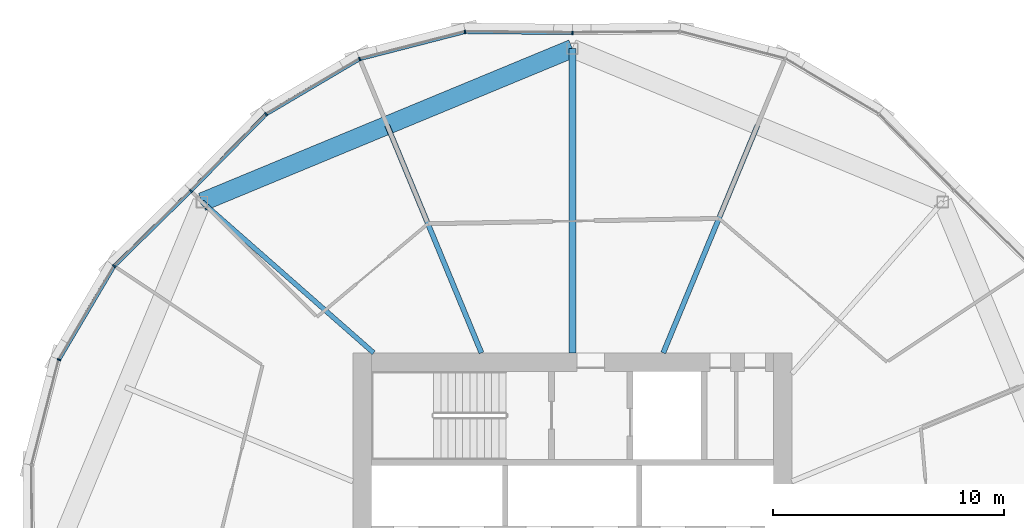
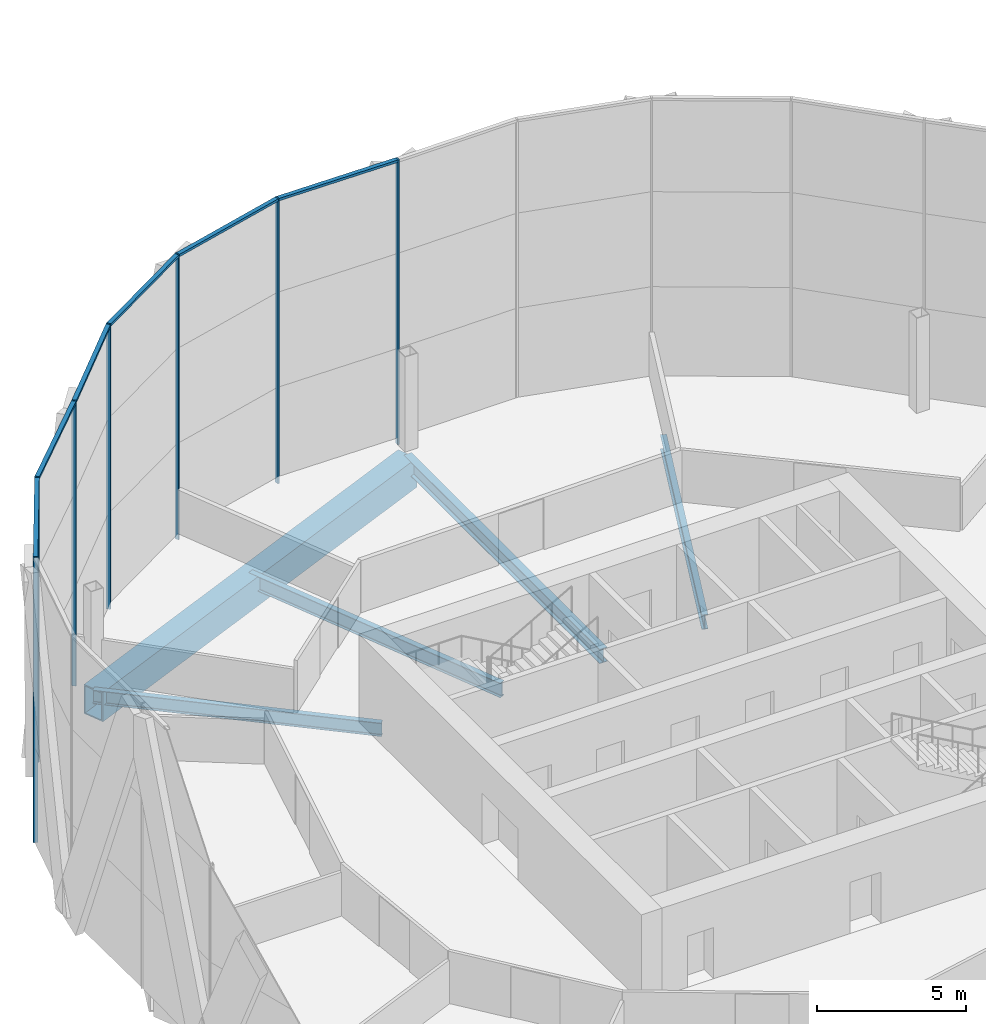
# One storey, part 8 of 26: 13 members, 5 beams, 3 elements without a shape of their own.
"""IFC4 building model written with IfcOpenShell, lengths in metres."""

import ifcopenshell
import ifcopenshell.guid

model = None  # the IFC model being written
_history = None  # IfcOwnerHistory: only IFC2X3 demands one
_inside = {}  # id of a spatial element -> (the spatial element, [elements in it])
_under = {}  # id of a project, library or spatial element -> (it, [spatial elements below it])
_declared = {}  # id of a project -> (the project, [libraries it declares])
_typed = {}  # id of a type object -> (the type object, [elements of that type])
_made_of = {}  # id of a material, layer set ... -> (it, [elements and type objects made of it])


def new_model(schema):
    """Start an empty IFC model of exactly this schema.

    Asked for "IFC4X3", IfcOpenShell would pick the latest addendum, in which some entities
    have other attributes; the version numbers below select the first issue.
    IFC2X3 requires an IfcOwnerHistory on every rooted entity: one is made here for all.
    """
    global model, _history
    if schema == "IFC4X3":
        model = ifcopenshell.file(schema_version=(4, 3, 0, 0))
    else:
        model = ifcopenshell.file(schema=schema)
    _inside.clear()
    _under.clear()
    _declared.clear()
    _typed.clear()
    _made_of.clear()
    _history = None
    if model.schema == "IFC2X3":
        org = make("IfcOrganization", Name="unknown")
        user = make(
            "IfcPersonAndOrganization",
            ThePerson=make("IfcPerson", FamilyName="unknown"),
            TheOrganization=org,
        )
        app = make(
            "IfcApplication",
            ApplicationDeveloper=org,
            Version="unknown",
            ApplicationFullName="unknown",
            ApplicationIdentifier="unknown",
        )
        _history = make(
            "IfcOwnerHistory",
            OwningUser=user,
            OwningApplication=app,
            ChangeAction="ADDED",
            CreationDate=0,
        )
    return model


def make(cls, **values):
    """One entity of the class cls with the attributes given. An attribute that is None is left unset."""
    return model.create_entity(
        cls, **{name: value for name, value in values.items() if value is not None}
    )


def rooted(cls, **values):
    """An entity with a GlobalId (a new one), such as an element, a storey or a relation."""
    return make(cls, GlobalId=ifcopenshell.guid.new(), OwnerHistory=_history, **values)


def si_unit(unit_type, name, prefix=None):
    """IfcSIUnit, for example si_unit("LENGTHUNIT", "METRE", prefix="MILLI")."""
    return make("IfcSIUnit", UnitType=unit_type, Prefix=prefix, Name=name)


def assignment(units):
    """IfcUnitAssignment: the units of a project."""
    return None if units is None else make("IfcUnitAssignment", Units=units)


def point(xyz):
    """IfcCartesianPoint."""
    return None if xyz is None else make("IfcCartesianPoint", Coordinates=xyz)


def direction(xyz):
    """IfcDirection."""
    return None if xyz is None else make("IfcDirection", DirectionRatios=xyz)


def frame(location, z_axis=None, x_axis=None):
    """IfcAxis2Placement3D, a coordinate frame: its origin and axes. An axis left out is left unset."""
    return make(
        "IfcAxis2Placement3D",
        Location=point(location),
        Axis=direction(z_axis),
        RefDirection=direction(x_axis),
    )


def frame_2d(location, x_axis=None):
    """IfcAxis2Placement2D, a coordinate frame in the plane: its origin and x axis."""
    return make(
        "IfcAxis2Placement2D", Location=point(location), RefDirection=direction(x_axis)
    )


def origin():
    """The frame at (0, 0, 0) with its axes left unset."""
    return frame((0.0, 0.0, 0.0))


def origin_2d():
    """The frame at (0, 0) in the plane with its x axis left unset."""
    return frame_2d((0.0, 0.0))


def place(relative_to, where):
    """IfcLocalPlacement: puts the frame where relative to a parent placement (None: the world)."""
    return make(
        "IfcLocalPlacement", PlacementRelTo=relative_to, RelativePlacement=where
    )


def context(
    kind, dimensions, precision=None, world=None, true_north=None, identifier=None
):
    """IfcGeometricRepresentationContext, for example the 3D "Model" context."""
    return make(
        "IfcGeometricRepresentationContext",
        ContextIdentifier=identifier,
        ContextType=kind,
        CoordinateSpaceDimension=dimensions,
        Precision=precision,
        WorldCoordinateSystem=world,
        TrueNorth=true_north,
    )


def subcontext(parent, identifier, kind, view, scale=None):
    """IfcGeometricRepresentationSubContext, for example "Body" below "Model"."""
    return make(
        "IfcGeometricRepresentationSubContext",
        ContextIdentifier=identifier,
        ContextType=kind,
        ParentContext=parent,
        TargetScale=scale,
        TargetView=view,
    )


def project(units=None, contexts=None):
    """IfcProject with its units and contexts."""
    return rooted(
        "IfcProject",
        Name="project",
        RepresentationContexts=contexts,
        UnitsInContext=assignment(units),
    )


def spatial(cls, under=None, at=None, **own):
    """A site, building, storey or space (cls), placed at a placement, below another one or the project."""
    s = rooted(cls, ObjectPlacement=at, **own)
    if under is not None:
        _under.setdefault(under.id(), (under, []))[1].append(s)
    return s


def profile(cls, at=None, kind="AREA", **sizes):
    """A parametric profile (cls). Its sizes go by their IFC names, for example OverallWidth=200.0."""
    return make(cls, ProfileType=kind, Position=at, **sizes)


def rectangle(**sizes):
    """IfcRectangleProfileDef."""
    return profile("IfcRectangleProfileDef", **sizes)


def hollow_rectangle(**sizes):
    """IfcRectangleHollowProfileDef."""
    return profile("IfcRectangleHollowProfileDef", **sizes)


def i_section(**sizes):
    """IfcIShapeProfileDef."""
    return profile("IfcIShapeProfileDef", **sizes)


def extrude(swept, where, along, depth):
    """IfcExtrudedAreaSolid: the profile swept, set in the frame where, extruded along a direction by depth."""
    return make(
        "IfcExtrudedAreaSolid",
        SweptArea=swept,
        Position=where,
        ExtrudedDirection=direction(along),
        Depth=depth,
    )


def shape(context_of_items, identifier, shape_type, items):
    """IfcShapeRepresentation: the items that make up one representation, for example the "Body"."""
    return make(
        "IfcShapeRepresentation",
        ContextOfItems=context_of_items,
        RepresentationIdentifier=identifier,
        RepresentationType=shape_type,
        Items=items,
    )


def material(Name=None, Category=None):
    """IfcMaterial."""
    return make("IfcMaterial", Name=Name, Category=Category)


def material_profile(
    of_material, cross_section, Name=None, Category=None, Priority=None
):
    """IfcMaterialProfile: a cross section and its material."""
    return make(
        "IfcMaterialProfile",
        Name=Name,
        Material=of_material,
        Profile=cross_section,
        Priority=Priority,
        Category=Category,
    )


def profile_set(profiles, Name=None, composite=None):
    """IfcMaterialProfileSet."""
    return make(
        "IfcMaterialProfileSet",
        Name=Name,
        MaterialProfiles=profiles,
        CompositeProfile=composite,
    )


def made_of(thing, what):
    """Note that an element or type object is made of a material, layer set ...; save() writes the relation."""
    if what is not None:
        _made_of.setdefault(what.id(), (what, []))[1].append(thing)
    return thing


def type_object(cls, material=None, **own):
    """A type object (cls), such as IfcWallType, which elements share."""
    return made_of(rooted(cls, **own), material)


def element(
    cls,
    number,
    at=None,
    inside=None,
    cuts=None,
    type_object=None,
    material=None,
    context=None,
    identifier="Body",
    shape_type=None,
    held_by="IfcProductDefinitionShape",
    body=None,
    shapes=None,
    **own,
):
    """One element of the class cls, such as IfcWall. Its Tag is "e" and its number.

    at: its placement. inside: the storey or other place that contains it. cuts: it is an
    opening in that element (IfcRelVoidsElement). A single representation is given by context,
    identifier, shape_type and body (its items); several are given by shapes. held_by: the class
    of the entity that holds the representations. save() writes the other relations.
    """
    e = rooted(cls, Tag="e%d" % number, ObjectPlacement=at, **own)
    if body is not None:
        shapes = [shape(context, identifier, shape_type, body)]
    if shapes is not None:
        e.Representation = make(held_by, Representations=shapes)
    if inside is not None:
        _inside.setdefault(inside.id(), (inside, []))[1].append(e)
    if cuts is not None:
        rooted(
            "IfcRelVoidsElement", RelatingBuildingElement=cuts, RelatedOpeningElement=e
        )
    if type_object is not None:
        _typed.setdefault(type_object.id(), (type_object, []))[1].append(e)
    return made_of(e, material)


def aggregate(whole, parts):
    """IfcRelAggregates: a whole, such as a stair, and the parts it consists of."""
    return rooted("IfcRelAggregates", RelatingObject=whole, RelatedObjects=parts)


def save(model, path):
    """Write the relations noted so far, then the file.

    IfcRelAggregates (storeys below a building ...), IfcRelContainedInSpatialStructure (elements
    in a storey), IfcRelDefinesByType, IfcRelAssociatesMaterial and IfcRelDeclares: one each for
    every whole, place, type object, material and project.
    """
    for whole, parts in _under.values():
        aggregate(whole, parts)
    for where, things in _inside.values():
        rooted(
            "IfcRelContainedInSpatialStructure",
            RelatedElements=things,
            RelatingStructure=where,
        )
    for kind, things in _typed.values():
        rooted("IfcRelDefinesByType", RelatedObjects=things, RelatingType=kind)
    for what, things in _made_of.values():
        rooted("IfcRelAssociatesMaterial", RelatedObjects=things, RelatingMaterial=what)
    for by, libraries in _declared.values():
        rooted("IfcRelDeclares", RelatingContext=by, RelatedDefinitions=libraries)
    model.write(path)


model = new_model("IFC4")

# Units and contexts
model_context = context("Model", 3, precision=1e-05, world=origin(), true_north=direction((0.0, 1.0)))
body_context = subcontext(model_context, "Body", "Model", "MODEL_VIEW")
ifc_project = project(units=[si_unit("LENGTHUNIT", "METRE"), si_unit("AREAUNIT", "SQUARE_METRE"), si_unit("VOLUMEUNIT", "CUBIC_METRE"), si_unit("PLANEANGLEUNIT", "RADIAN"), si_unit("MASSUNIT", "GRAM", prefix="KILO")], contexts=[model_context])

# Site, building, storey
site_placement = place(None, origin())
site = spatial("IfcSite", under=ifc_project, at=site_placement, CompositionType="ELEMENT")
building_placement = place(site_placement, origin())
building = spatial("IfcBuilding", under=site, at=building_placement, Name="Ogive Gate Towers", CompositionType="ELEMENT")
storey_placement = place(building_placement, frame((0.0, 0.0, 87.89990234375)))
storey = spatial("IfcBuildingStorey", under=building, at=storey_placement, Name="L20", CompositionType="ELEMENT", Elevation=87.89990234375)

# Beams
ifc_material_1 = material(Name="Steel SM460", Category="steel")
ifc_material_profile_1 = material_profile(ifc_material_1, hollow_rectangle(XDim=0.800048828125, YDim=1.199951171875, WallThickness=0.050048828125, at=origin_2d()), Name="BX 1200x800x50")
ifc_profile_set_1 = profile_set([ifc_material_profile_1], Name="Steel SM460")
beam_type_1 = type_object("IfcBeamType", Name="Edge girder BX 1200x800x50", PredefinedType="BEAM", material=ifc_profile_set_1)
beam_1_placement = place(storey_placement, frame((-36.0, 22.669921875, -0.89990234375), z_axis=(-0.923878777792, -0.382685254414, 0.0), x_axis=(0.382685254414, -0.923878777792, 0.0)))
element("IfcBeam", 1, at=beam_1_placement, inside=storey, type_object=beam_type_1, Name="T1/L20/SBM022", PredefinedType="BEAM", context=body_context, shape_type="SweptSolid", body=[
    extrude(hollow_rectangle(XDim=0.800048828125, YDim=1.199951171875, WallThickness=0.050048828125, at=origin_2d()), origin(), (0.0, 0.0, 1.0), 17.350830078125),
])
ifc_material_2 = material(Name="Steel SM355", Category="steel")
ifc_material_profile_2 = material_profile(ifc_material_2, i_section(OverallWidth=0.300048828125, OverallDepth=0.590087890625, WebThickness=0.012939453125, FlangeThickness=0.02490234375, FilletRadius=0.027099609375, at=origin_2d()), Name="HE 600 A")
ifc_profile_set_2 = profile_set([ifc_material_profile_2], Name="Steel SM355")
beam_type_2 = type_object("IfcBeamType", Name="Radial floor beam HE 600 A", PredefinedType="BEAM", material=ifc_profile_set_2)
beam_2_placement = place(storey_placement, frame((-36.0, 9.5, -0.594970703125), z_axis=(0.0, 1.0, 0.0), x_axis=(-1.0, 0.0, 0.0)))
element("IfcBeam", 2, at=beam_2_placement, inside=storey, type_object=beam_type_2, Name="T1/L20/SBM011", PredefinedType="BEAM", context=body_context, shape_type="SweptSolid", body=[
    extrude(i_section(OverallWidth=0.300048828125, OverallDepth=0.590087890625, WebThickness=0.012939453125, FlangeThickness=0.02490234375, FilletRadius=0.027099609375, at=origin_2d()), origin(), (0.0, 0.0, 1.0), 13.169921875),
])
ifc_material_profile_3 = material_profile(ifc_material_2, i_section(OverallWidth=0.2099609375, OverallDepth=0.550048828125, WebThickness=0.010986328125, FlangeThickness=0.01708984375, FilletRadius=0.02392578125, at=origin_2d()), Name="IPE 550")
ifc_profile_set_3 = profile_set([ifc_material_profile_3], Name="Steel SM355")
beam_type_3 = type_object("IfcBeamType", Name="Radial floor beam IPE 550", PredefinedType="BEAM", material=ifc_profile_set_3)
beam_3_placement = place(storey_placement, frame((-44.60009765625, 9.5, -0.574951171875), z_axis=(-0.751130036477, 0.660154276137, 0.0), x_axis=(-0.660154276137, -0.751130036477, 0.0)))
element("IfcBeam", 3, at=beam_3_placement, inside=storey, type_object=beam_type_3, Name="T1/L20/SBM013", PredefinedType="BEAM", context=body_context, shape_type="SweptSolid", body=[
    extrude(i_section(OverallWidth=0.2099609375, OverallDepth=0.550048828125, WebThickness=0.010986328125, FlangeThickness=0.01708984375, FilletRadius=0.02392578125, at=origin_2d()), origin(), (0.0, 0.0, 1.0), 9.8916015625),
])
ifc_material_profile_4 = material_profile(ifc_material_2, i_section(OverallWidth=0.219970703125, OverallDepth=0.60009765625, WebThickness=0.011962890625, FlangeThickness=0.01904296875, FilletRadius=0.02392578125, at=origin_2d()), Name="IPE 600")
ifc_profile_set_4 = profile_set([ifc_material_profile_4], Name="Steel SM355")
beam_type_4 = type_object("IfcBeamType", Name="Radial floor beam IPE 600", PredefinedType="BEAM", material=ifc_profile_set_4)
for number, where, z_axis, x_axis, name in (
    (4, (-32.06494140625, 9.5, -0.599853515625), (0.382686161148, 0.923878402208, 0.0), (-0.923878402208, 0.382686161148, 0.0), "T1/L20/SBM010"),
    (5, (-39.93505859375, 9.5, -0.599853515625), (-0.382686161148, 0.923878402208, 0.0), (-0.923878402208, -0.382686161148, 0.0), "T1/L20/SBM012"),
):
    element("IfcBeam", number, at=place(storey_placement, frame(where, z_axis=z_axis, x_axis=x_axis)), inside=storey, type_object=beam_type_4, Name=name, PredefinedType="BEAM", context=body_context, shape_type="SweptSolid", body=[
        extrude(i_section(OverallWidth=0.219970703125, OverallDepth=0.60009765625, WebThickness=0.011962890625, FlangeThickness=0.01904296875, FilletRadius=0.02392578125, at=origin_2d()), origin(), (0.0, 0.0, 1.0), 10.66162109375),
    ])

# Curtain wall, member
ifc_material_3 = material(Name="Pale metal aluminium", Category="aluminium")
curtain_wall_type = type_object("IfcCurtainWallType", Name="Tower unitised wall, low zone", PredefinedType="NOTDEFINED", material=ifc_material_3)
curtain_wall_1_placement = place(storey_placement, origin())
curtain_wall_1 = element("IfcCurtainWall", 6, at=curtain_wall_1_placement, inside=storey, type_object=curtain_wall_type, Name="CW1 T1 ECW02", PredefinedType="NOTDEFINED")
ifc_material_profile_5 = material_profile(ifc_material_3, rectangle(XDim=0.159912109375, YDim=0.06005859375, at=origin_2d()), Name="60 x 160 aluminium box")
ifc_profile_set_5 = profile_set([ifc_material_profile_5], Name="Pale metal aluminium")
member_type_1 = type_object("IfcMemberType", Name="Tower unitised wall, low zone mullion 60 x 160", PredefinedType="MULLION", material=ifc_profile_set_5)
member_1_placement = place(storey_placement, frame((-35.999755859375, 23.35009765625, -0.2998046875), z_axis=(0.0, 0.0, 1.0), x_axis=(-0.009337375811, 0.999956405756, 0.0)))
member_1 = element("IfcMember", 7, at=member_1_placement, type_object=member_type_1, Name="CW1 mullion", PredefinedType="MULLION", context=body_context, shape_type="SweptSolid", body=[
    extrude(rectangle(XDim=0.159912109375, YDim=0.06005859375, at=origin_2d()), origin(), (0.0, 0.0, 1.0), 11.699951171875),
])
aggregate(curtain_wall_1, [member_1])

# Curtain wall, members
curtain_wall_2_placement = place(storey_placement, origin())
curtain_wall_2 = element("IfcCurtainWall", 8, at=curtain_wall_2_placement, inside=storey, type_object=curtain_wall_type, Name="CW1 T1 ECW03", PredefinedType="NOTDEFINED")
member_2_placement = place(storey_placement, frame((-40.647216796875, 23.3935546875, -0.2998046875), z_axis=(0.0, 0.0, 1.0), x_axis=(-0.121037787217, 0.992647900348, 0.0)))
member_2 = element("IfcMember", 9, at=member_2_placement, type_object=member_type_1, Name="CW1 mullion", PredefinedType="MULLION", context=body_context, shape_type="SweptSolid", body=[
    extrude(rectangle(XDim=0.159912109375, YDim=0.06005859375, at=origin_2d()), origin(), (0.0, 0.0, 1.0), 11.699951171875),
])
member_3_placement = place(storey_placement, frame((-45.203857421875, 22.22021484375, -0.2998046875), z_axis=(0.0, 0.0, 1.0), x_axis=(-0.382683432365, 0.923879532511, 0.0)))
member_3 = element("IfcMember", 10, at=member_3_placement, type_object=member_type_1, Name="CW1 mullion", PredefinedType="MULLION", context=body_context, shape_type="SweptSolid", body=[
    extrude(rectangle(XDim=0.159912109375, YDim=0.06005859375, at=origin_2d()), origin(), (0.0, 0.0, 1.0), 11.699951171875),
])
member_4_placement = place(storey_placement, frame((-49.255859375, 19.827880859375, -0.2998046875), z_axis=(0.0, 0.0, 1.0), x_axis=(-0.616321421546, 0.787494701787, 0.0)))
member_4 = element("IfcMember", 11, at=member_4_placement, type_object=member_type_1, Name="CW1 mullion", PredefinedType="MULLION", context=body_context, shape_type="SweptSolid", body=[
    extrude(rectangle(XDim=0.159912109375, YDim=0.06005859375, at=origin_2d()), origin(), (0.0, 0.0, 1.0), 11.699951171875),
])
member_5_placement = place(storey_placement, frame((-52.5107421875, 16.510986328125, -0.2998046875), z_axis=(0.0, 0.0, 1.0), x_axis=(-0.713678477155, 0.700473433647, 0.0)))
member_5 = element("IfcMember", 12, at=member_5_placement, type_object=member_type_1, Name="CW1 mullion", PredefinedType="MULLION", context=body_context, shape_type="SweptSolid", body=[
    extrude(rectangle(XDim=0.159912109375, YDim=0.06005859375, at=origin_2d()), origin(), (0.0, 0.0, 1.0), 11.699951171875),
])

curtain_wall_3_placement = place(storey_placement, origin())
curtain_wall_3 = element("IfcCurtainWall", 13, at=curtain_wall_3_placement, inside=storey, type_object=curtain_wall_type, Name="CW1 T1 ECW04", PredefinedType="NOTDEFINED")
member_6_placement = place(storey_placement, frame((-55.827880859375, 13.255859375, -0.2998046875), z_axis=(0.0, 0.0, 1.0), x_axis=(-0.787494701787, 0.616321421546, 0.0)))
member_6 = element("IfcMember", 14, at=member_6_placement, type_object=member_type_1, Name="CW1 mullion", PredefinedType="MULLION", context=body_context, shape_type="SweptSolid", body=[
    extrude(rectangle(XDim=0.159912109375, YDim=0.06005859375, at=origin_2d()), origin(), (0.0, 0.0, 1.0), 11.699951171875),
])
member_7_placement = place(storey_placement, frame((-58.22021484375, 9.203857421875, -0.2998046875), z_axis=(0.0, 0.0, 1.0), x_axis=(-0.923879532511, 0.382683432365, 0.0)))
member_7 = element("IfcMember", 15, at=member_7_placement, type_object=member_type_1, Name="CW1 mullion", PredefinedType="MULLION", context=body_context, shape_type="SweptSolid", body=[
    extrude(rectangle(XDim=0.159912109375, YDim=0.06005859375, at=origin_2d()), origin(), (0.0, 0.0, 1.0), 11.699951171875),
])

# Member
ifc_material_profile_6 = material_profile(ifc_material_3, rectangle(XDim=0.159912109375, YDim=0.10009765625, at=origin_2d()), Name="100 x 160 aluminium box")
ifc_profile_set_6 = profile_set([ifc_material_profile_6], Name="Pale metal aluminium")
member_type_2 = type_object("IfcMemberType", Name="Tower unitised wall, low zone transom 100 x 160", PredefinedType="USERDEFINED", material=ifc_profile_set_6)
member_8_placement = place(storey_placement, frame((-36.0302734375, 23.350341796875, 11.35009765625), z_axis=(-0.999956669412, 0.009309097625, 0.0), x_axis=(-0.009309097625, -0.999956669412, 0.0)))
member_8 = element("IfcMember", 16, at=member_8_placement, type_object=member_type_2, Name="CW1 transom", ObjectType="TRANSOM", PredefinedType="USERDEFINED", context=body_context, shape_type="SweptSolid", body=[
    extrude(rectangle(XDim=0.159912109375, YDim=0.10009765625, at=origin_2d()), origin(), (0.0, 0.0, 1.0), 4.589599609375),
])

member_9_placement = place(storey_placement, frame((-40.673583984375, 23.38671875, 11.35009765625), z_axis=(-0.968401345103, -0.249396942248, 0.0), x_axis=(0.249396942248, -0.968401345103, 0.0)))
member_9 = element("IfcMember", 17, at=member_9_placement, type_object=member_type_2, Name="CW1 transom", ObjectType="TRANSOM", PredefinedType="USERDEFINED", context=body_context, shape_type="SweptSolid", body=[
    extrude(rectangle(XDim=0.159912109375, YDim=0.10009765625, at=origin_2d()), origin(), (0.0, 0.0, 1.0), 4.65087890625),
])

member_10_placement = place(storey_placement, frame((-45.227294921875, 22.206298828125, 11.35009765625), z_axis=(-0.861093687305, -0.508446321339, 0.0), x_axis=(0.508446321339, -0.861093687305, 0.0)))
member_10 = element("IfcMember", 18, at=member_10_placement, type_object=member_type_2, Name="CW1 transom", ObjectType="TRANSOM", PredefinedType="USERDEFINED", context=body_context, shape_type="SweptSolid", body=[
    extrude(rectangle(XDim=0.159912109375, YDim=0.10009765625, at=origin_2d()), origin(), (0.0, 0.0, 1.0), 4.65087890625),
])

member_11_placement = place(storey_placement, frame((-49.27490234375, 19.80810546875, 11.35009765625), z_axis=(-0.700453165916, -0.713698369312, 0.0), x_axis=(0.713698369312, -0.700453165916, 0.0)))
member_11 = element("IfcMember", 19, at=member_11_placement, type_object=member_type_2, Name="CW1 transom", ObjectType="TRANSOM", PredefinedType="USERDEFINED", context=body_context, shape_type="SweptSolid", body=[
    extrude(rectangle(XDim=0.159912109375, YDim=0.10009765625, at=origin_2d()), origin(), (0.0, 0.0, 1.0), 4.589599609375),
])

aggregate(curtain_wall_2, [member_2, member_8, member_3, member_9, member_4, member_10, member_5, member_11])

member_12_placement = place(storey_placement, frame((-52.532470703125, 16.48974609375, 11.35009765625), z_axis=(-0.713698369312, -0.700453165916, 0.0), x_axis=(0.700453165916, -0.713698369312, 0.0)))
member_12 = element("IfcMember", 20, at=member_12_placement, type_object=member_type_2, Name="CW1 transom", ObjectType="TRANSOM", PredefinedType="USERDEFINED", context=body_context, shape_type="SweptSolid", body=[
    extrude(rectangle(XDim=0.159912109375, YDim=0.10009765625, at=origin_2d()), origin(), (0.0, 0.0, 1.0), 4.589599609375),
])

member_13_placement = place(storey_placement, frame((-55.841552734375, 13.232177734375, 11.35009765625), z_axis=(-0.508446321339, -0.861093687305, 0.0), x_axis=(0.861093687305, -0.508446321339, 0.0)))
member_13 = element("IfcMember", 21, at=member_13_placement, type_object=member_type_2, Name="CW1 transom", ObjectType="TRANSOM", PredefinedType="USERDEFINED", context=body_context, shape_type="SweptSolid", body=[
    extrude(rectangle(XDim=0.159912109375, YDim=0.10009765625, at=origin_2d()), origin(), (0.0, 0.0, 1.0), 4.65087890625),
])

aggregate(curtain_wall_3, [member_6, member_12, member_7, member_13])

save(model, "model.ifc")
